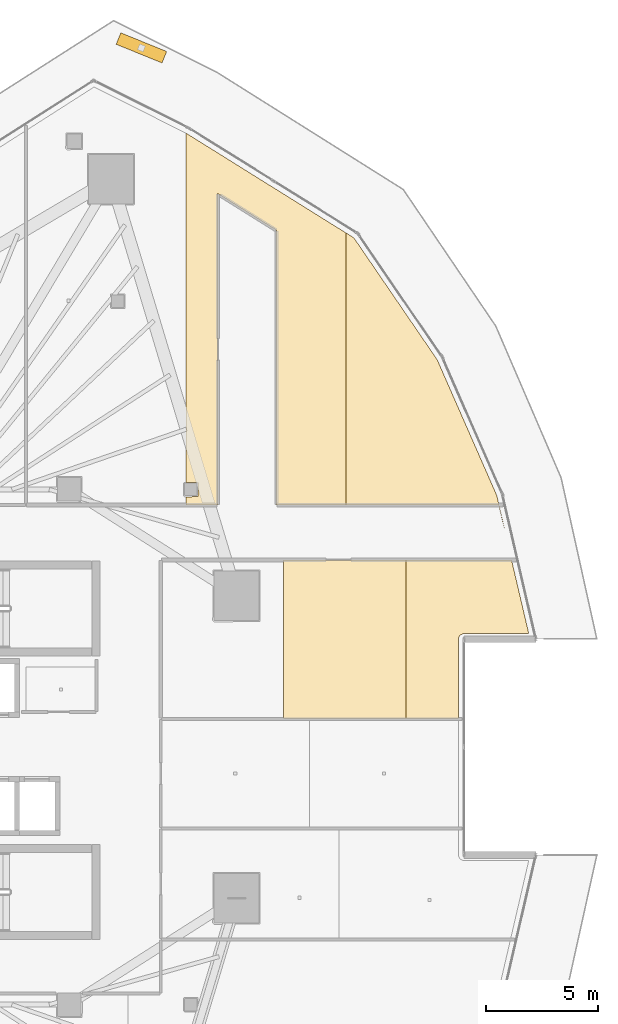
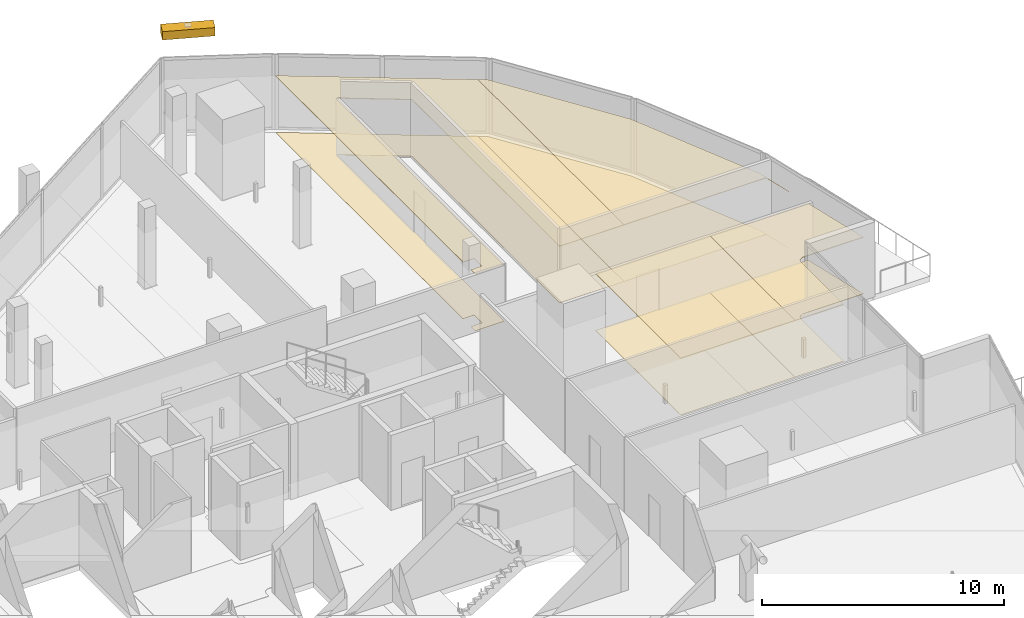
# One storey, part 39 of 39: 8 coverings, 1 shading device.
"""IFC4 building model written with IfcOpenShell, lengths in metres."""

from ifc_helpers import new_model, si_unit, direction, frame, origin, origin_2d, place, context, subcontext, project, spatial, polyline, rectangle, outline, extrude, material, layer, layer_set, type_object, element, save


model = new_model("IFC4")

# Units and contexts
model_context = context("Model", 3, precision=1e-05, world=origin(), true_north=direction((0.0, 1.0)))
body_context = subcontext(model_context, "Body", "Model", "MODEL_VIEW")
ifc_project = project(units=[si_unit("LENGTHUNIT", "METRE"), si_unit("AREAUNIT", "SQUARE_METRE"), si_unit("VOLUMEUNIT", "CUBIC_METRE"), si_unit("PLANEANGLEUNIT", "RADIAN"), si_unit("MASSUNIT", "GRAM", prefix="KILO")], contexts=[model_context])

# Site, building, storey
site_placement = place(None, origin())
site = spatial("IfcSite", under=ifc_project, at=site_placement, CompositionType="ELEMENT")
building_placement = place(site_placement, origin())
building = spatial("IfcBuilding", under=site, at=building_placement, Name="Qorvath Tower", CompositionType="ELEMENT")
storey_placement = place(building_placement, frame((0.0, 0.0, 154.35009765625)))
storey = spatial("IfcBuildingStorey", under=building, at=storey_placement, Name="L35", CompositionType="ELEMENT", Elevation=154.35009765625)

# Coverings
ifc_material_1 = material(Name="Acoustic mineral fibre ceiling tile", Category="gypsum")
ifc_layer_1 = layer(ifc_material_1, 0.030029296875)
ifc_layer_set_1 = layer_set([ifc_layer_1], Name="COV-CEIL")
covering_type_1 = type_object("IfcCoveringType", Name="COV-CEIL", PredefinedType="CEILING", material=ifc_layer_set_1)
covering_1_placement = place(storey_placement, frame((0.0, 0.0, 2.849853515625)))
element("IfcCovering", 1, at=covering_1_placement, inside=storey, type_object=covering_type_1, Name="L35 Suspended Acoustic Ceiling 015", PredefinedType="CEILING", context=body_context, shape_type="SweptSolid", body=[
    extrude(outline(polyline([(-4.907958984375, 10.762939453125), (-4.907958984375, 22.8505859375), (-12.013671875, 27.28466796875), (-12.013671875, 11.767333984375), (-11.482666015625, 11.767333984375), (-11.482666015625, 11.132568359375), (-12.013671875, 11.11669921875), (-12.013671875, 10.762939453125), (-10.613037109375, 10.762939453125), (-10.608642578125, 24.6005859375), (-7.987060546875, 22.96337890625), (-7.987060546875, 10.762939453125), (-4.907958984375, 10.762939453125)])), origin(), (0.0, 0.0, 1.0), 0.030029296875),
])
covering_2_placement = place(storey_placement, frame((0.0, 0.0, 2.849853515625)))
element("IfcCovering", 2, at=covering_2_placement, inside=storey, type_object=covering_type_1, Name="L35 Suspended Acoustic Ceiling 016", PredefinedType="CEILING", context=body_context, shape_type="SweptSolid", body=[
    extrude(outline(polyline([(-0.85205078125, 17.2138671875), (-4.5537109375, 22.62939453125), (-4.907958984375, 22.8505859375), (-4.907958984375, 10.762939453125), (1.87646484375, 10.762939453125), (2.19775390625, 9.44580078125), (1.796142578125, 11.18017578125), (-0.85205078125, 17.2138671875)])), origin(), (0.0, 0.0, 1.0), 0.030029296875),
])
covering_3_placement = place(storey_placement, frame((0.0, 0.0, 2.849853515625)))
element("IfcCovering", 3, at=covering_3_placement, inside=storey, type_object=covering_type_1, Name="L35 Suspended Acoustic Ceiling 025", PredefinedType="CEILING", context=body_context, shape_type="SweptSolid", body=[
    extrude(outline(polyline([(-2.235107421875, 1.265380859375), (-2.235107421875, 8.318359375), (-7.68603515625, 8.312744140625), (-7.68603515625, 1.265380859375), (-2.235107421875, 1.265380859375)])), origin(), (0.0, 0.0, 1.0), 0.030029296875),
])
covering_4_placement = place(storey_placement, frame((0.0, 0.0, 2.849853515625)))
element("IfcCovering", 4, at=covering_4_placement, inside=storey, type_object=covering_type_1, Name="L35 Suspended Acoustic Ceiling 026", PredefinedType="CEILING", context=body_context, shape_type="SweptSolid", body=[
    extrude(outline(polyline([(0.144287109375, 4.958251953125), (0.315185546875, 5.049072265625), (3.2158203125, 5.05029296875), (2.449462890625, 8.3232421875), (-2.235107421875, 8.318359375), (-2.235107421875, 1.265380859375), (0.084716796875, 1.265380859375), (0.0859375, 4.81982421875), (0.144287109375, 4.958251953125)])), origin(), (0.0, 0.0, 1.0), 0.030029296875),
])
ifc_material_2 = material(Name="Low-VOC modular carpet tile", Category="textile")
ifc_layer_2 = layer(ifc_material_2, 0.014892578125)
ifc_layer_set_2 = layer_set([ifc_layer_2], Name="COV-FLOOR-CPT")
covering_type_2 = type_object("IfcCoveringType", Name="COV-FLOOR-CPT", PredefinedType="FLOORING", material=ifc_layer_set_2)
covering_5_placement = place(storey_placement, origin())
element("IfcCovering", 5, at=covering_5_placement, inside=storey, type_object=covering_type_2, Name="L35 Floor Finish 015", PredefinedType="FLOORING", context=body_context, shape_type="SweptSolid", body=[
    extrude(outline(polyline([(-4.907958984375, 10.762939453125), (-4.907958984375, 22.8505859375), (-12.013671875, 27.28466796875), (-12.013671875, 11.767333984375), (-11.482666015625, 11.767333984375), (-11.482666015625, 11.132568359375), (-12.013671875, 11.11669921875), (-12.013671875, 10.762939453125), (-10.613037109375, 10.762939453125), (-10.608642578125, 24.6005859375), (-7.987060546875, 22.96337890625), (-7.987060546875, 10.762939453125), (-4.907958984375, 10.762939453125)])), origin(), (0.0, 0.0, 1.0), 0.014892578125),
])
covering_6_placement = place(storey_placement, origin())
element("IfcCovering", 6, at=covering_6_placement, inside=storey, type_object=covering_type_2, Name="L35 Floor Finish 016", PredefinedType="FLOORING", context=body_context, shape_type="SweptSolid", body=[
    extrude(outline(polyline([(-0.85205078125, 17.2138671875), (-4.5537109375, 22.62939453125), (-4.907958984375, 22.8505859375), (-4.907958984375, 10.762939453125), (1.87646484375, 10.762939453125), (2.19775390625, 9.44580078125), (1.796142578125, 11.18017578125), (-0.85205078125, 17.2138671875)])), origin(), (0.0, 0.0, 1.0), 0.014892578125),
])
covering_7_placement = place(storey_placement, origin())
element("IfcCovering", 7, at=covering_7_placement, inside=storey, type_object=covering_type_2, Name="L35 Floor Finish 025", PredefinedType="FLOORING", context=body_context, shape_type="SweptSolid", body=[
    extrude(outline(polyline([(-2.235107421875, 1.265380859375), (-2.235107421875, 8.318359375), (-7.68603515625, 8.312744140625), (-7.68603515625, 1.265380859375), (-2.235107421875, 1.265380859375)])), origin(), (0.0, 0.0, 1.0), 0.014892578125),
])
covering_8_placement = place(storey_placement, origin())
element("IfcCovering", 8, at=covering_8_placement, inside=storey, type_object=covering_type_2, Name="L35 Floor Finish 026", PredefinedType="FLOORING", context=body_context, shape_type="SweptSolid", body=[
    extrude(outline(polyline([(0.144287109375, 4.958251953125), (0.315185546875, 5.049072265625), (3.2158203125, 5.05029296875), (2.449462890625, 8.3232421875), (-2.235107421875, 8.318359375), (-2.235107421875, 1.265380859375), (0.084716796875, 1.265380859375), (0.0859375, 4.81982421875), (0.144287109375, 4.958251953125)])), origin(), (0.0, 0.0, 1.0), 0.014892578125),
])

# Shading device
ifc_material_3 = material(Name="Anodised bronze-champagne aluminium", Category="aluminium")
shading_device_type = type_object("IfcShadingDeviceType", Name="SD-LOUVRE", PredefinedType="JALOUSIE", material=ifc_material_3)
shading_device_placement = place(storey_placement, frame((-13.999267578125, 31.075439453125, 3.35986328125), z_axis=(0.0, 0.0, 1.0), x_axis=(-0.926437988339, 0.376447411683, 0.0)))
element("IfcShadingDevice", 9, at=shading_device_placement, inside=storey, type_object=shading_device_type, Name="Sinusoidal Wave Louvre Blade L35-03", PredefinedType="NOTDEFINED", context=body_context, shape_type="SweptSolid", body=[
    extrude(rectangle(XDim=2.199951171875, YDim=0.550048828125, at=origin_2d()), origin(), (0.0, 0.0, 1.0), 0.419921875),
])

save(model, "model.ifc")
